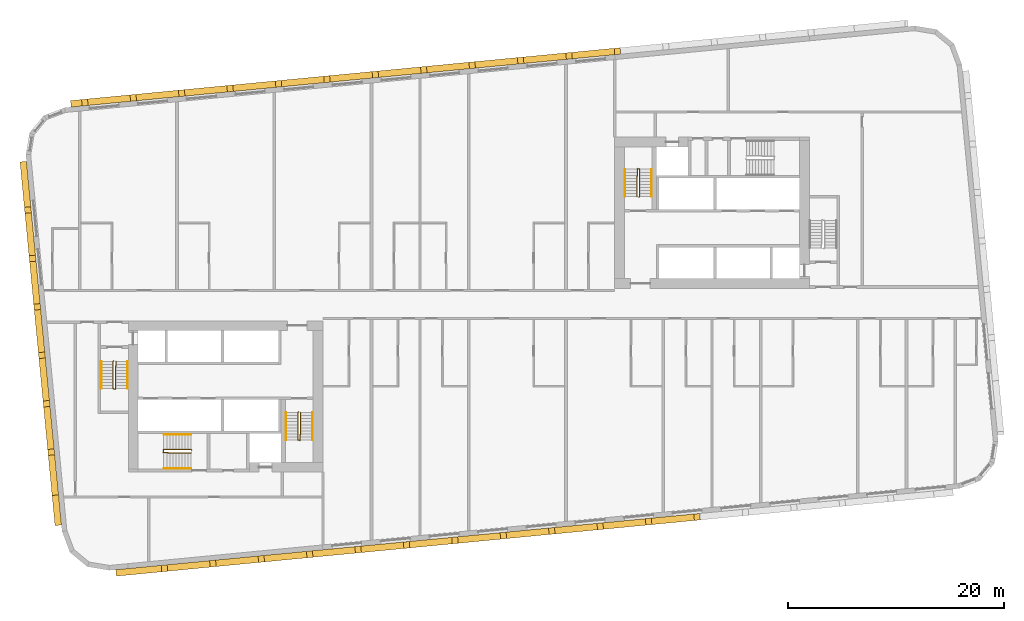
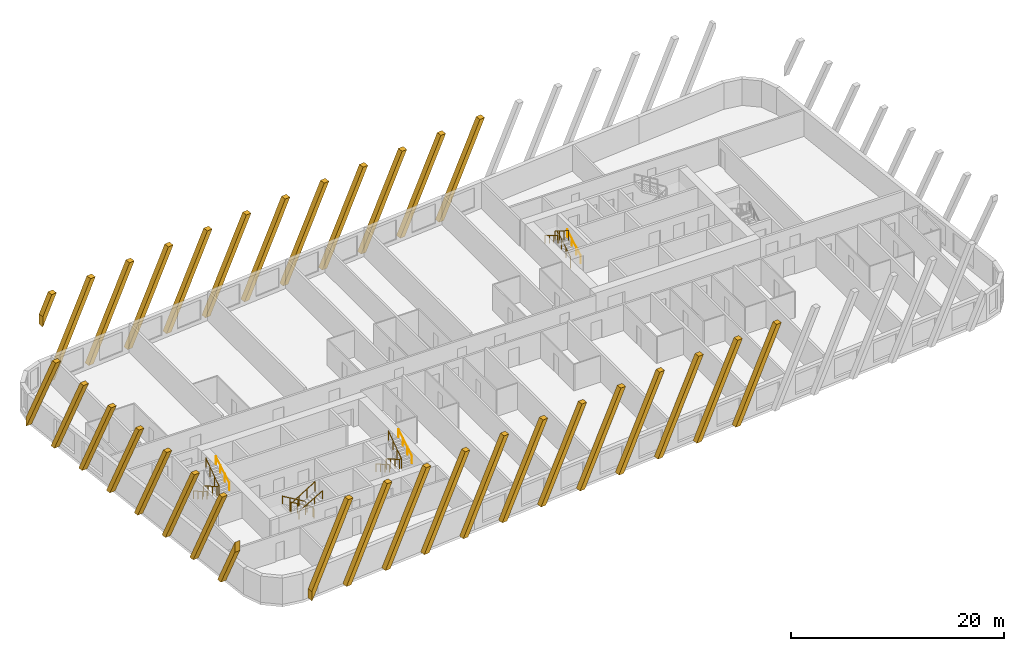
# One storey, part 12 of 13: 32 coverings, 12 railings.
"""IFC4 building model written with IfcOpenShell, lengths in metres."""

from ifc_helpers import new_model, si_unit, direction, frame, origin, origin_2d, place, context, subcontext, project, spatial, polyline, rectangle, circle, outline, extrude, material, material_profile, profile_set, type_object, element, save


model = new_model("IFC4")

# Units and contexts
model_context = context("Model", 3, precision=1e-05, world=origin(), true_north=direction((0.0, 1.0)))
body_context = subcontext(model_context, "Body", "Model", "MODEL_VIEW")
ifc_project = project(units=[si_unit("LENGTHUNIT", "METRE"), si_unit("AREAUNIT", "SQUARE_METRE"), si_unit("VOLUMEUNIT", "CUBIC_METRE"), si_unit("PLANEANGLEUNIT", "RADIAN"), si_unit("MASSUNIT", "GRAM", prefix="KILO")], contexts=[model_context])

# Site, building, storey
site_placement = place(None, origin())
site = spatial("IfcSite", under=ifc_project, at=site_placement, CompositionType="ELEMENT")
building_placement = place(site_placement, origin())
building = spatial("IfcBuilding", under=site, at=building_placement, Name="Kajstack Hotel Tower", CompositionType="ELEMENT")
storey_placement = place(building_placement, frame((0.0, 0.0, 140.5)))
storey = spatial("IfcBuildingStorey", under=building, at=storey_placement, Name="L32", CompositionType="ELEMENT", Elevation=140.5)

# Coverings
ifc_material_1 = material(Name="Terracotta", Category="masonry")
ifc_material_profile = material_profile(ifc_material_1, rectangle(XDim=0.60009765625, YDim=0.5, at=origin_2d()), Name="Terracotta-clad concrete baguette 500 x 600")
ifc_profile_set = profile_set([ifc_material_profile], Name="Terracotta")
covering_type = type_object("IfcCoveringType", Name="BAGUETTE 500x600", PredefinedType="CLADDING", material=ifc_profile_set)
covering_1_placement = place(storey_placement, frame((-40.91943359375, 13.2529296875, 0.0), z_axis=(-0.995381412265, -0.095999188106, 0.0), x_axis=(0.095999188106, -0.995381412265, 0.0)))
element("IfcCovering", 1, at=covering_1_placement, inside=storey, type_object=covering_type, Name="Baguette L32-00-003", PredefinedType="CLADDING", context=body_context, shape_type="SweptSolid", body=[
    extrude(outline(polyline([(4.222900390625, 9.89990234375), (0.0, 1.046142578125), (0.0, 0.0), (0.054931640625, 0.0), (4.777099609375, 9.89990234375), (4.222900390625, 9.89990234375)])), origin(), (0.0, 0.0, 1.0), 0.60009765625),
])
for number, where, z_axis, x_axis, name in (
    (2, (-40.5361328125, 9.270263671875, 0.0), (-0.995416482233, -0.095634862357, 0.0), (0.095634862357, -0.995416482233, 0.0), "Baguette L32-00-007"),
    (3, (-40.104736328125, 4.791015625, 0.0), (-0.995416482233, -0.095634862357, 0.0), (0.095634862357, -0.995416482233, 0.0), "Baguette L32-00-011"),
):
    element("IfcCovering", number, at=place(storey_placement, frame(where, z_axis=z_axis, x_axis=x_axis)), inside=storey, type_object=covering_type, Name=name, PredefinedType="CLADDING", context=body_context, shape_type="SweptSolid", body=[
        extrude(outline(polyline([(4.72216796875, 9.89990234375), (0.0, 0.0), (0.553955078125, 0.0), (5.276123046875, 9.89990234375), (4.72216796875, 9.89990234375)])), origin(), (0.0, 0.0, 1.0), 0.599853515625),
    ])
covering_2_placement = place(storey_placement, frame((-39.67333984375, 0.311767578125, 0.0), z_axis=(-0.995381412265, -0.095999188106, 0.0), x_axis=(0.095999188106, -0.995381412265, 0.0)))
element("IfcCovering", 4, at=covering_2_placement, inside=storey, type_object=covering_type, Name="Baguette L32-00-015", PredefinedType="CLADDING", context=body_context, shape_type="SweptSolid", body=[
    extrude(outline(polyline([(4.72216796875, 9.89990234375), (0.0, 0.0), (0.553955078125, 0.0), (5.276123046875, 9.89990234375), (4.72216796875, 9.89990234375)])), origin(), (0.0, 0.0, 1.0), 0.60009765625),
])
for number, where, z_axis, x_axis, name in (
    (5, (-39.2421875, -4.16748046875, 0.0), (-0.995377661201, -0.096038073607, 0.0), (0.096038073607, -0.995377661201, 0.0), "Baguette L32-00-019"),
    (6, (-38.810791015625, -8.646728515625, 0.0), (-0.995377661201, -0.096038073607, 0.0), (0.096038073607, -0.995377661201, 0.0), "Baguette L32-00-023"),
):
    element("IfcCovering", number, at=place(storey_placement, frame(where, z_axis=z_axis, x_axis=x_axis)), inside=storey, type_object=covering_type, Name=name, PredefinedType="CLADDING", context=body_context, shape_type="SweptSolid", body=[
        extrude(outline(polyline([(4.72216796875, 9.89990234375), (0.0, 0.0), (0.553955078125, 0.0), (5.276123046875, 9.89990234375), (4.72216796875, 9.89990234375)])), origin(), (0.0, 0.0, 1.0), 0.599853515625),
    ])
covering_3_placement = place(storey_placement, frame((-38.37939453125, -13.126220703125, 0.0), z_axis=(-0.995420202011, -0.095596137095, 0.0), x_axis=(0.095596137095, -0.995420202011, 0.0)))
element("IfcCovering", 7, at=covering_3_placement, inside=storey, type_object=covering_type, Name="Baguette L32-00-027", PredefinedType="CLADDING", context=body_context, shape_type="SweptSolid", body=[
    extrude(outline(polyline([(4.72216796875, 9.89990234375), (0.0, 0.0), (0.553955078125, 0.0), (5.276123046875, 9.89990234375), (4.72216796875, 9.89990234375)])), origin(), (0.0, 0.0, 1.0), 0.60009765625),
])
covering_4_placement = place(storey_placement, frame((-37.9482421875, -17.60546875, 0.0), z_axis=(-0.995416482233, -0.095634862357, 0.0), x_axis=(0.095634862357, -0.995416482233, 0.0)))
element("IfcCovering", 8, at=covering_4_placement, inside=storey, type_object=covering_type, Name="Baguette L32-00-031", PredefinedType="CLADDING", context=body_context, shape_type="SweptSolid", body=[
    extrude(outline(polyline([(0.553955078125, 0.0), (2.798828125, 4.706787109375), (2.798828125, 5.8681640625), (0.0, 0.0), (0.553955078125, 0.0)])), origin(), (0.0, 0.0, 1.0), 0.599853515625),
])
covering_5_placement = place(storey_placement, frame((-32.66015625, -24.529296875, 0.0), z_axis=(0.095596137095, -0.995420202011, 0.0), x_axis=(0.995420202011, 0.095596137095, 0.0)))
element("IfcCovering", 9, at=covering_5_placement, inside=storey, type_object=covering_type, Name="Baguette L32-04-003", PredefinedType="CLADDING", context=body_context, shape_type="SweptSolid", body=[
    extrude(outline(polyline([(4.222900390625, 9.89990234375), (0.0, 1.046142578125), (0.0, 0.0), (0.054931640625, 0.0), (4.777099609375, 9.89990234375), (4.222900390625, 9.89990234375)])), origin(), (0.0, 0.0, 1.0), 0.60009765625),
])
for number, where, z_axis, x_axis, name in (
    (10, (-28.677734375, -24.14599609375, 0.0), (0.096038073607, -0.995377661201, 0.0), (0.995377661201, 0.096038073607, 0.0), "Baguette L32-04-007"),
    (11, (-24.198486328125, -23.714599609375, 0.0), (0.096038073607, -0.995377661201, 0.0), (0.995377661201, 0.096038073607, 0.0), "Baguette L32-04-011"),
):
    element("IfcCovering", number, at=place(storey_placement, frame(where, z_axis=z_axis, x_axis=x_axis)), inside=storey, type_object=covering_type, Name=name, PredefinedType="CLADDING", context=body_context, shape_type="SweptSolid", body=[
        extrude(outline(polyline([(4.72216796875, 9.89990234375), (0.0, 0.0), (0.553955078125, 0.0), (5.276123046875, 9.89990234375), (4.72216796875, 9.89990234375)])), origin(), (0.0, 0.0, 1.0), 0.599853515625),
    ])
covering_6_placement = place(storey_placement, frame((-19.71923828125, -23.283203125, 0.0), z_axis=(0.095999188106, -0.995381412265, 0.0), x_axis=(0.995381412265, 0.095999188106, 0.0)))
element("IfcCovering", 12, at=covering_6_placement, inside=storey, type_object=covering_type, Name="Baguette L32-04-015", PredefinedType="CLADDING", context=body_context, shape_type="SweptSolid", body=[
    extrude(outline(polyline([(4.72216796875, 9.89990234375), (0.0, 0.0), (0.553955078125, 0.0), (5.276123046875, 9.89990234375), (4.72216796875, 9.89990234375)])), origin(), (0.0, 0.0, 1.0), 0.60009765625),
])
for number, where, z_axis, x_axis, name in (
    (13, (-15.239990234375, -22.85205078125, 0.0), (0.096038073607, -0.995377661201, 0.0), (0.995377661201, 0.096038073607, 0.0), "Baguette L32-04-019"),
    (14, (-10.760498046875, -22.420654296875, 0.0), (0.095634862357, -0.995416482233, 0.0), (0.995416482233, 0.095634862357, 0.0), "Baguette L32-04-023"),
    (15, (-6.28125, -21.989501953125, 0.0), (0.095634862357, -0.995416482233, 0.0), (0.995416482233, 0.095634862357, 0.0), "Baguette L32-04-027"),
    (16, (-1.802001953125, -21.55810546875, 0.0), (0.095634862357, -0.995416482233, 0.0), (0.995416482233, 0.095634862357, 0.0), "Baguette L32-04-031"),
):
    element("IfcCovering", number, at=place(storey_placement, frame(where, z_axis=z_axis, x_axis=x_axis)), inside=storey, type_object=covering_type, Name=name, PredefinedType="CLADDING", context=body_context, shape_type="SweptSolid", body=[
        extrude(outline(polyline([(4.72216796875, 9.89990234375), (0.0, 0.0), (0.553955078125, 0.0), (5.276123046875, 9.89990234375), (4.72216796875, 9.89990234375)])), origin(), (0.0, 0.0, 1.0), 0.599853515625),
    ])
covering_7_placement = place(storey_placement, frame((2.67724609375, -21.126708984375, 0.0), z_axis=(0.095999188106, -0.995381412265, 0.0), x_axis=(0.995381412265, 0.095999188106, 0.0)))
element("IfcCovering", 17, at=covering_7_placement, inside=storey, type_object=covering_type, Name="Baguette L32-04-035", PredefinedType="CLADDING", context=body_context, shape_type="SweptSolid", body=[
    extrude(outline(polyline([(4.72216796875, 9.89990234375), (0.0, 0.0), (0.553955078125, 0.0), (5.276123046875, 9.89990234375), (4.72216796875, 9.89990234375)])), origin(), (0.0, 0.0, 1.0), 0.60009765625),
])
for number, where, z_axis, x_axis, name in (
    (18, (7.156494140625, -20.695556640625, 0.0), (0.096038073607, -0.995377661201, 0.0), (0.995377661201, 0.096038073607, 0.0), "Baguette L32-04-039"),
    (19, (11.6357421875, -20.26416015625, 0.0), (0.096038073607, -0.995377661201, 0.0), (0.995377661201, 0.096038073607, 0.0), "Baguette L32-04-043"),
):
    element("IfcCovering", number, at=place(storey_placement, frame(where, z_axis=z_axis, x_axis=x_axis)), inside=storey, type_object=covering_type, Name=name, PredefinedType="CLADDING", context=body_context, shape_type="SweptSolid", body=[
        extrude(outline(polyline([(4.72216796875, 9.89990234375), (0.0, 0.0), (0.553955078125, 0.0), (5.276123046875, 9.89990234375), (4.72216796875, 9.89990234375)])), origin(), (0.0, 0.0, 1.0), 0.599853515625),
    ])
covering_8_placement = place(storey_placement, frame((16.114990234375, -19.832763671875, 0.0), z_axis=(0.095999188106, -0.995381412265, 0.0), x_axis=(0.995381412265, 0.095999188106, 0.0)))
element("IfcCovering", 20, at=covering_8_placement, inside=storey, type_object=covering_type, Name="Baguette L32-04-047", PredefinedType="CLADDING", context=body_context, shape_type="SweptSolid", body=[
    extrude(outline(polyline([(4.72216796875, 9.89990234375), (0.0, 0.0), (0.553955078125, 0.0), (5.276123046875, 9.89990234375), (4.72216796875, 9.89990234375)])), origin(), (0.0, 0.0, 1.0), 0.60009765625),
])
for number, where, z_axis, x_axis, name in (
    (21, (14.060302734375, 23.168212890625, 0.0), (-0.096038073607, 0.995377661201, 0.0), (-0.995377661201, -0.096038073607, 0.0), "Baguette L32-12-027"),
    (22, (9.5810546875, 22.73681640625, 0.0), (-0.096038073607, 0.995377661201, 0.0), (-0.995377661201, -0.096038073607, 0.0), "Baguette L32-12-031"),
):
    element("IfcCovering", number, at=place(storey_placement, frame(where, z_axis=z_axis, x_axis=x_axis)), inside=storey, type_object=covering_type, Name=name, PredefinedType="CLADDING", context=body_context, shape_type="SweptSolid", body=[
        extrude(outline(polyline([(0.0, 9.89990234375), (4.72216796875, 0.0), (5.276123046875, 0.0), (0.553955078125, 9.89990234375), (0.0, 9.89990234375)])), origin(), (0.0, 0.0, 1.0), 0.599853515625),
    ])
covering_9_placement = place(storey_placement, frame((5.101806640625, 22.305419921875, 0.0), z_axis=(-0.095999188106, 0.995381412265, 0.0), x_axis=(-0.995381412265, -0.095999188106, 0.0)))
element("IfcCovering", 23, at=covering_9_placement, inside=storey, type_object=covering_type, Name="Baguette L32-12-035", PredefinedType="CLADDING", context=body_context, shape_type="SweptSolid", body=[
    extrude(outline(polyline([(0.0, 9.89990234375), (4.72216796875, 0.0), (5.276123046875, 0.0), (0.553955078125, 9.89990234375), (0.0, 9.89990234375)])), origin(), (0.0, 0.0, 1.0), 0.60009765625),
])
for number, where, z_axis, x_axis, name in (
    (24, (0.622314453125, 21.874267578125, 0.0), (-0.095634862357, 0.995416482233, 0.0), (-0.995416482233, -0.095634862357, 0.0), "Baguette L32-12-039"),
    (25, (-3.85693359375, 21.44287109375, 0.0), (-0.095634862357, 0.995416482233, 0.0), (-0.995416482233, -0.095634862357, 0.0), "Baguette L32-12-043"),
):
    element("IfcCovering", number, at=place(storey_placement, frame(where, z_axis=z_axis, x_axis=x_axis)), inside=storey, type_object=covering_type, Name=name, PredefinedType="CLADDING", context=body_context, shape_type="SweptSolid", body=[
        extrude(outline(polyline([(0.0, 9.89990234375), (4.72216796875, 0.0), (5.276123046875, 0.0), (0.553955078125, 9.89990234375), (0.0, 9.89990234375)])), origin(), (0.0, 0.0, 1.0), 0.599853515625),
    ])
covering_10_placement = place(storey_placement, frame((-8.336181640625, 21.011474609375, 0.0), z_axis=(-0.095596137095, 0.995420202011, 0.0), x_axis=(-0.995420202011, -0.095596137095, 0.0)))
element("IfcCovering", 26, at=covering_10_placement, inside=storey, type_object=covering_type, Name="Baguette L32-12-047", PredefinedType="CLADDING", context=body_context, shape_type="SweptSolid", body=[
    extrude(outline(polyline([(0.0, 9.89990234375), (4.72216796875, 0.0), (5.276123046875, 0.0), (0.553955078125, 9.89990234375), (0.0, 9.89990234375)])), origin(), (0.0, 0.0, 1.0), 0.60009765625),
])
for number, where, z_axis, x_axis, name in (
    (27, (-12.8154296875, 20.580322265625, 0.0), (-0.096038073607, 0.995377661201, 0.0), (-0.995377661201, -0.096038073607, 0.0), "Baguette L32-12-051"),
    (28, (-17.294677734375, 20.14892578125, 0.0), (-0.096038073607, 0.995377661201, 0.0), (-0.995377661201, -0.096038073607, 0.0), "Baguette L32-12-055"),
    (29, (-21.77392578125, 19.7177734375, 0.0), (-0.096038073607, 0.995377661201, 0.0), (-0.995377661201, -0.096038073607, 0.0), "Baguette L32-12-059"),
    (30, (-26.253173828125, 19.286376953125, 0.0), (-0.096038073607, 0.995377661201, 0.0), (-0.995377661201, -0.096038073607, 0.0), "Baguette L32-12-063"),
):
    element("IfcCovering", number, at=place(storey_placement, frame(where, z_axis=z_axis, x_axis=x_axis)), inside=storey, type_object=covering_type, Name=name, PredefinedType="CLADDING", context=body_context, shape_type="SweptSolid", body=[
        extrude(outline(polyline([(0.0, 9.89990234375), (4.72216796875, 0.0), (5.276123046875, 0.0), (0.553955078125, 9.89990234375), (0.0, 9.89990234375)])), origin(), (0.0, 0.0, 1.0), 0.599853515625),
    ])
covering_11_placement = place(storey_placement, frame((-30.732666015625, 18.85498046875, 0.0), z_axis=(-0.095596137095, 0.995420202011, 0.0), x_axis=(-0.995420202011, -0.095596137095, 0.0)))
element("IfcCovering", 31, at=covering_11_placement, inside=storey, type_object=covering_type, Name="Baguette L32-12-067", PredefinedType="CLADDING", context=body_context, shape_type="SweptSolid", body=[
    extrude(outline(polyline([(0.0, 9.89990234375), (4.72216796875, 0.0), (5.276123046875, 0.0), (0.553955078125, 9.89990234375), (0.0, 9.89990234375)])), origin(), (0.0, 0.0, 1.0), 0.60009765625),
])
covering_12_placement = place(storey_placement, frame((-35.2119140625, 18.423828125, 0.0), z_axis=(-0.095634862357, 0.995416482233, 0.0), x_axis=(-0.995416482233, -0.095634862357, 0.0)))
element("IfcCovering", 32, at=covering_12_placement, inside=storey, type_object=covering_type, Name="Baguette L32-12-071", PredefinedType="CLADDING", context=body_context, shape_type="SweptSolid", body=[
    extrude(outline(polyline([(0.0, 9.89990234375), (1.576904296875, 6.59375), (1.576904296875, 7.755126953125), (0.553955078125, 9.89990234375), (0.0, 9.89990234375)])), origin(), (0.0, 0.0, 1.0), 0.599853515625),
])

# Railings
ifc_material_2 = material(Name="Steel S355J2", Category="steel")
railing_type_1 = type_object("IfcRailingType", Name="Stair guard 1100", PredefinedType="GUARDRAIL", material=ifc_material_2)
railing_1_placement = place(storey_placement, frame((-32.85009765625, -5.199951171875, 0.0)))
element("IfcRailing", 33, at=railing_1_placement, inside=storey, type_object=railing_type_1, Name="L32 W1 stair guard 1", PredefinedType="GUARDRAIL", context=body_context, shape_type="SweptSolid", body=[
    extrude(circle(Radius=0.02392578125, at=origin_2d()), frame((0.0, 0.0, 1.076171875), z_axis=(-0.277450376394, -0.278810427259, 0.919394384522), x_axis=(0.708833529934, -0.705375805398, 0.0)), (0.0, 0.0, 1.0), 0.179443359375),
    extrude(circle(Radius=0.02392578125, at=origin_2d()), frame((-0.0498046875, -0.050048828125, 1.2412109375), z_axis=(0.0, -0.861560626758, 0.507654692109), x_axis=(1.0, 0.0, 0.0)), (0.0, 0.0, 1.0), 2.925048828125),
    extrude(circle(Radius=0.02392578125, at=origin_2d()), frame((-0.0498046875, -2.570068359375, 2.72607421875), z_axis=(0.970072785993, -0.242814311512, 0.0), x_axis=(0.242814311512, 0.970072785993, 0.0)), (0.0, 0.0, 1.0), 0.2060546875),
    extrude(circle(Radius=0.02392578125, at=origin_2d()), frame((0.150146484375, -2.6201171875, 2.72607421875), z_axis=(0.016384601254, 0.84136925563, 0.540212292087), x_axis=(-0.999810440751, 0.019470042781, 0.0)), (0.0, 0.0, 1.0), 3.0546875),
    extrude(circle(Radius=0.02099609375, at=origin_2d()), origin(), (0.0, 0.0, 1.0), 1.052001953125),
    extrude(circle(Radius=0.02099609375, at=origin_2d()), frame((-0.0498046875, -0.050048828125, 0.1650390625)), (0.0, 0.0, 1.0), 1.052001953125),
    extrude(circle(Radius=0.02099609375, at=origin_2d()), frame((-0.0498046875, -0.89013671875, 0.659912109375)), (0.0, 0.0, 1.0), 1.052001953125),
    extrude(circle(Radius=0.02099609375, at=origin_2d()), frame((-0.0498046875, -1.72998046875, 1.155029296875)), (0.0, 0.0, 1.0), 1.052001953125),
    extrude(circle(Radius=0.02099609375, at=origin_2d()), frame((-0.0498046875, -2.570068359375, 1.64990234375)), (0.0, 0.0, 1.0), 1.052001953125),
    extrude(circle(Radius=0.02099609375, at=origin_2d()), frame((0.150146484375, -2.6201171875, 1.64990234375)), (0.0, 0.0, 1.0), 1.052001953125),
    extrude(circle(Radius=0.02099609375, at=origin_2d()), frame((0.166748046875, -1.763427734375, 2.199951171875)), (0.0, 0.0, 1.0), 1.052001953125),
    extrude(circle(Radius=0.02099609375, at=origin_2d()), frame((0.18359375, -0.90673828125, 2.75)), (0.0, 0.0, 1.0), 1.052001953125),
    extrude(circle(Radius=0.02099609375, at=origin_2d()), frame((0.2001953125, -0.050048828125, 3.300048828125)), (0.0, 0.0, 1.0), 1.052001953125),
])
railing_2_placement = place(storey_placement, frame((-15.75, -9.949951171875, 0.0)))
element("IfcRailing", 34, at=railing_2_placement, inside=storey, type_object=railing_type_1, Name="L32 W2 stair guard 1", PredefinedType="GUARDRAIL", context=body_context, shape_type="SweptSolid", body=[
    extrude(circle(Radius=0.02392578125, at=origin_2d()), frame((0.0, 0.0, 1.076171875), z_axis=(-0.278705021027, -0.278705021027, 0.919046801044), x_axis=(0.707106781187, -0.707106781187, 0.0)), (0.0, 0.0, 1.0), 0.1796875),
    extrude(circle(Radius=0.02392578125, at=origin_2d()), frame((-0.050048828125, -0.050048828125, 1.2412109375), z_axis=(0.0, -0.861560626758, 0.507654692109), x_axis=(1.0, 0.0, 0.0)), (0.0, 0.0, 1.0), 2.925048828125),
    extrude(circle(Radius=0.02392578125, at=origin_2d()), frame((-0.050048828125, -2.570068359375, 2.72607421875), z_axis=(0.970072785993, -0.242814311512, 0.0), x_axis=(0.242814311512, 0.970072785993, 0.0)), (0.0, 0.0, 1.0), 0.2060546875),
    extrude(circle(Radius=0.02392578125, at=origin_2d()), frame((0.14990234375, -2.6201171875, 2.72607421875), z_axis=(0.016384601254, 0.84136925563, 0.540212292087), x_axis=(-0.999810440751, 0.019470042781, 0.0)), (0.0, 0.0, 1.0), 3.0546875),
    extrude(circle(Radius=0.02099609375, at=origin_2d()), origin(), (0.0, 0.0, 1.0), 1.052001953125),
    extrude(circle(Radius=0.02099609375, at=origin_2d()), frame((-0.050048828125, -0.050048828125, 0.1650390625)), (0.0, 0.0, 1.0), 1.052001953125),
    extrude(circle(Radius=0.02099609375, at=origin_2d()), frame((-0.050048828125, -0.89013671875, 0.659912109375)), (0.0, 0.0, 1.0), 1.052001953125),
    extrude(circle(Radius=0.02099609375, at=origin_2d()), frame((-0.050048828125, -1.72998046875, 1.155029296875)), (0.0, 0.0, 1.0), 1.052001953125),
    extrude(circle(Radius=0.02099609375, at=origin_2d()), frame((-0.050048828125, -2.570068359375, 1.64990234375)), (0.0, 0.0, 1.0), 1.052001953125),
    extrude(circle(Radius=0.02099609375, at=origin_2d()), frame((0.14990234375, -2.6201171875, 1.64990234375)), (0.0, 0.0, 1.0), 1.052001953125),
    extrude(circle(Radius=0.02099609375, at=origin_2d()), frame((0.16650390625, -1.763427734375, 2.199951171875)), (0.0, 0.0, 1.0), 1.052001953125),
    extrude(circle(Radius=0.02099609375, at=origin_2d()), frame((0.183349609375, -0.90673828125, 2.75)), (0.0, 0.0, 1.0), 1.052001953125),
    extrude(circle(Radius=0.02099609375, at=origin_2d()), frame((0.199951171875, -0.050048828125, 3.300048828125)), (0.0, 0.0, 1.0), 1.052001953125),
])
railing_3_placement = place(storey_placement, frame((-25.64990234375, -13.449951171875, 0.0)))
element("IfcRailing", 35, at=railing_3_placement, inside=storey, type_object=railing_type_1, Name="L32 W3 stair guard 1", PredefinedType="GUARDRAIL", context=body_context, shape_type="SweptSolid", body=[
    extrude(circle(Radius=0.02392578125, at=origin_2d()), frame((0.0, 0.0, 1.076171875), z_axis=(-0.278705021027, 0.278705021027, 0.919046801044), x_axis=(-0.707106781187, -0.707106781187, 0.0)), (0.0, 0.0, 1.0), 0.1796875),
    extrude(circle(Radius=0.02392578125, at=origin_2d()), frame((-0.050048828125, 0.050048828125, 1.2412109375), z_axis=(-0.861560626758, 0.0, 0.507654692109), x_axis=(0.0, -1.0, 0.0)), (0.0, 0.0, 1.0), 2.925048828125),
    extrude(circle(Radius=0.02392578125, at=origin_2d()), frame((-2.570068359375, 0.050048828125, 2.72607421875), z_axis=(-0.164529134168, -0.986372223864, 0.0), x_axis=(0.986372223864, -0.164529134168, 0.0)), (0.0, 0.0, 1.0), 0.30419921875),
    extrude(circle(Radius=0.02392578125, at=origin_2d()), frame((-2.6201171875, -0.25, 2.72607421875), z_axis=(0.84136925563, -0.016384601254, 0.540212292087), x_axis=(0.019470042781, 0.999810440751, 0.0)), (0.0, 0.0, 1.0), 3.0546875),
    extrude(circle(Radius=0.02099609375, at=origin_2d()), origin(), (0.0, 0.0, 1.0), 1.052001953125),
    extrude(circle(Radius=0.02099609375, at=origin_2d()), frame((-0.050048828125, 0.050048828125, 0.1650390625)), (0.0, 0.0, 1.0), 1.052001953125),
    extrude(circle(Radius=0.02099609375, at=origin_2d()), frame((-0.89013671875, 0.050048828125, 0.659912109375)), (0.0, 0.0, 1.0), 1.052001953125),
    extrude(circle(Radius=0.02099609375, at=origin_2d()), frame((-1.72998046875, 0.050048828125, 1.155029296875)), (0.0, 0.0, 1.0), 1.052001953125),
    extrude(circle(Radius=0.02099609375, at=origin_2d()), frame((-2.570068359375, 0.050048828125, 1.64990234375)), (0.0, 0.0, 1.0), 1.052001953125),
    extrude(circle(Radius=0.02099609375, at=origin_2d()), frame((-2.6201171875, -0.25, 1.64990234375)), (0.0, 0.0, 1.0), 1.052001953125),
    extrude(circle(Radius=0.02099609375, at=origin_2d()), frame((-1.763427734375, -0.2666015625, 2.199951171875)), (0.0, 0.0, 1.0), 1.052001953125),
    extrude(circle(Radius=0.02099609375, at=origin_2d()), frame((-0.90673828125, -0.283447265625, 2.75)), (0.0, 0.0, 1.0), 1.052001953125),
    extrude(circle(Radius=0.02099609375, at=origin_2d()), frame((-0.050048828125, -0.300048828125, 3.300048828125)), (0.0, 0.0, 1.0), 1.052001953125),
])
railing_4_placement = place(storey_placement, frame((15.75, 9.949951171875, 0.0)))
element("IfcRailing", 36, at=railing_4_placement, inside=storey, type_object=railing_type_1, Name="L32 E2 stair guard 1", PredefinedType="GUARDRAIL", context=body_context, shape_type="SweptSolid", body=[
    extrude(circle(Radius=0.02392578125, at=origin_2d()), frame((0.0, 0.0, 1.076171875), z_axis=(0.278705021027, 0.278705021027, 0.919046801044), x_axis=(-0.707106781187, 0.707106781187, 0.0)), (0.0, 0.0, 1.0), 0.1796875),
    extrude(circle(Radius=0.02392578125, at=origin_2d()), frame((0.050048828125, 0.050048828125, 1.2412109375), z_axis=(0.0, 0.861560626758, 0.507654692109), x_axis=(-1.0, 0.0, 0.0)), (0.0, 0.0, 1.0), 2.925048828125),
    extrude(circle(Radius=0.02392578125, at=origin_2d()), frame((0.050048828125, 2.570068359375, 2.72607421875), z_axis=(-0.970072785993, 0.242814311512, 0.0), x_axis=(-0.242814311512, -0.970072785993, 0.0)), (0.0, 0.0, 1.0), 0.2060546875),
    extrude(circle(Radius=0.02392578125, at=origin_2d()), frame((-0.14990234375, 2.6201171875, 2.72607421875), z_axis=(-0.016384601254, -0.84136925563, 0.540212292087), x_axis=(0.999810440751, -0.019470042781, 0.0)), (0.0, 0.0, 1.0), 3.0546875),
    extrude(circle(Radius=0.02099609375, at=origin_2d()), origin(), (0.0, 0.0, 1.0), 1.052001953125),
    extrude(circle(Radius=0.02099609375, at=origin_2d()), frame((0.050048828125, 0.050048828125, 0.1650390625)), (0.0, 0.0, 1.0), 1.052001953125),
    extrude(circle(Radius=0.02099609375, at=origin_2d()), frame((0.050048828125, 0.89013671875, 0.659912109375)), (0.0, 0.0, 1.0), 1.052001953125),
    extrude(circle(Radius=0.02099609375, at=origin_2d()), frame((0.050048828125, 1.72998046875, 1.155029296875)), (0.0, 0.0, 1.0), 1.052001953125),
    extrude(circle(Radius=0.02099609375, at=origin_2d()), frame((0.050048828125, 2.570068359375, 1.64990234375)), (0.0, 0.0, 1.0), 1.052001953125),
    extrude(circle(Radius=0.02099609375, at=origin_2d()), frame((-0.14990234375, 2.6201171875, 1.64990234375)), (0.0, 0.0, 1.0), 1.052001953125),
    extrude(circle(Radius=0.02099609375, at=origin_2d()), frame((-0.16650390625, 1.763427734375, 2.199951171875)), (0.0, 0.0, 1.0), 1.052001953125),
    extrude(circle(Radius=0.02099609375, at=origin_2d()), frame((-0.183349609375, 0.90673828125, 2.75)), (0.0, 0.0, 1.0), 1.052001953125),
    extrude(circle(Radius=0.02099609375, at=origin_2d()), frame((-0.199951171875, 0.050048828125, 3.300048828125)), (0.0, 0.0, 1.0), 1.052001953125),
])
railing_type_2 = type_object("IfcRailingType", Name="Stair handrail 900", PredefinedType="HANDRAIL", material=ifc_material_2)
railing_5_placement = place(storey_placement, frame((-34.0, -5.25, 0.1650390625)))
element("IfcRailing", 37, at=railing_5_placement, inside=storey, type_object=railing_type_2, Name="L32 W1 stair handrail 1", PredefinedType="HANDRAIL", context=body_context, shape_type="SweptSolid", body=[
    extrude(circle(Radius=0.02392578125, at=origin_2d()), frame((0.0, 0.0, 0.8759765625), z_axis=(0.0, -0.861560626758, 0.507654692109), x_axis=(1.0, 0.0, 0.0)), (0.0, 0.0, 1.0), 2.925048828125),
    extrude(circle(Radius=0.02099609375, at=origin_2d()), origin(), (0.0, 0.0, 1.0), 0.851806640625),
    extrude(circle(Radius=0.02099609375, at=origin_2d()), frame((0.0, -0.840087890625, 0.494873046875)), (0.0, 0.0, 1.0), 0.851806640625),
    extrude(circle(Radius=0.02099609375, at=origin_2d()), frame((0.0, -1.679931640625, 0.989990234375)), (0.0, 0.0, 1.0), 0.851806640625),
    extrude(circle(Radius=0.02099609375, at=origin_2d()), frame((0.0, -2.52001953125, 1.48486328125)), (0.0, 0.0, 1.0), 0.851806640625),
])
railing_6_placement = place(storey_placement, frame((-31.550048828125, -7.77001953125, 1.81494140625)))
element("IfcRailing", 38, at=railing_6_placement, inside=storey, type_object=railing_type_2, Name="L32 W1 stair handrail 2", PredefinedType="HANDRAIL", context=body_context, shape_type="SweptSolid", body=[
    extrude(circle(Radius=0.02392578125, at=origin_2d()), frame((0.0, 0.0, 0.8759765625), z_axis=(0.0, 0.86152411907, 0.507716645641), x_axis=(-1.0, 0.0, 0.0)), (0.0, 0.0, 1.0), 2.925048828125),
    extrude(circle(Radius=0.02099609375, at=origin_2d()), origin(), (0.0, 0.0, 1.0), 0.851806640625),
    extrude(circle(Radius=0.02099609375, at=origin_2d()), frame((0.0, 0.840087890625, 0.4951171875)), (0.0, 0.0, 1.0), 0.851806640625),
    extrude(circle(Radius=0.02099609375, at=origin_2d()), frame((0.0, 1.679931640625, 0.989990234375)), (0.0, 0.0, 1.0), 0.851806640625),
    extrude(circle(Radius=0.02099609375, at=origin_2d()), frame((0.0, 2.52001953125, 1.485107421875)), (0.0, 0.0, 1.0), 0.851806640625),
])
railing_7_placement = place(storey_placement, frame((-16.89990234375, -10.0, 0.1650390625)))
element("IfcRailing", 39, at=railing_7_placement, inside=storey, type_object=railing_type_2, Name="L32 W2 stair handrail 1", PredefinedType="HANDRAIL", context=body_context, shape_type="SweptSolid", body=[
    extrude(circle(Radius=0.02392578125, at=origin_2d()), frame((0.0, 0.0, 0.8759765625), z_axis=(0.0, -0.861560626758, 0.507654692109), x_axis=(1.0, 0.0, 0.0)), (0.0, 0.0, 1.0), 2.925048828125),
    extrude(circle(Radius=0.02099609375, at=origin_2d()), origin(), (0.0, 0.0, 1.0), 0.851806640625),
    extrude(circle(Radius=0.02099609375, at=origin_2d()), frame((0.0, -0.840087890625, 0.494873046875)), (0.0, 0.0, 1.0), 0.851806640625),
    extrude(circle(Radius=0.02099609375, at=origin_2d()), frame((0.0, -1.679931640625, 0.989990234375)), (0.0, 0.0, 1.0), 0.851806640625),
    extrude(circle(Radius=0.02099609375, at=origin_2d()), frame((0.0, -2.52001953125, 1.48486328125)), (0.0, 0.0, 1.0), 0.851806640625),
])
railing_8_placement = place(storey_placement, frame((-14.449951171875, -12.52001953125, 1.81494140625)))
element("IfcRailing", 40, at=railing_8_placement, inside=storey, type_object=railing_type_2, Name="L32 W2 stair handrail 2", PredefinedType="HANDRAIL", context=body_context, shape_type="SweptSolid", body=[
    extrude(circle(Radius=0.02392578125, at=origin_2d()), frame((0.0, 0.0, 0.8759765625), z_axis=(0.0, 0.86152411907, 0.507716645641), x_axis=(-1.0, 0.0, 0.0)), (0.0, 0.0, 1.0), 2.925048828125),
    extrude(circle(Radius=0.02099609375, at=origin_2d()), origin(), (0.0, 0.0, 1.0), 0.851806640625),
    extrude(circle(Radius=0.02099609375, at=origin_2d()), frame((0.0, 0.840087890625, 0.4951171875)), (0.0, 0.0, 1.0), 0.851806640625),
    extrude(circle(Radius=0.02099609375, at=origin_2d()), frame((0.0, 1.679931640625, 0.989990234375)), (0.0, 0.0, 1.0), 0.851806640625),
    extrude(circle(Radius=0.02099609375, at=origin_2d()), frame((0.0, 2.52001953125, 1.485107421875)), (0.0, 0.0, 1.0), 0.851806640625),
])
railing_9_placement = place(storey_placement, frame((-25.699951171875, -12.0, 0.1650390625)))
element("IfcRailing", 41, at=railing_9_placement, inside=storey, type_object=railing_type_2, Name="L32 W3 stair handrail 1", PredefinedType="HANDRAIL", context=body_context, shape_type="SweptSolid", body=[
    extrude(circle(Radius=0.02392578125, at=origin_2d()), frame((0.0, 0.0, 0.8759765625), z_axis=(-0.861560626758, 0.0, 0.507654692109), x_axis=(0.0, -1.0, 0.0)), (0.0, 0.0, 1.0), 2.925048828125),
    extrude(circle(Radius=0.02099609375, at=origin_2d()), origin(), (0.0, 0.0, 1.0), 0.851806640625),
    extrude(circle(Radius=0.02099609375, at=origin_2d()), frame((-0.840087890625, 0.0, 0.494873046875)), (0.0, 0.0, 1.0), 0.851806640625),
    extrude(circle(Radius=0.02099609375, at=origin_2d()), frame((-1.679931640625, 0.0, 0.989990234375)), (0.0, 0.0, 1.0), 0.851806640625),
    extrude(circle(Radius=0.02099609375, at=origin_2d()), frame((-2.52001953125, 0.0, 1.48486328125)), (0.0, 0.0, 1.0), 0.851806640625),
])
railing_10_placement = place(storey_placement, frame((-28.219970703125, -15.14990234375, 1.81494140625)))
element("IfcRailing", 42, at=railing_10_placement, inside=storey, type_object=railing_type_2, Name="L32 W3 stair handrail 2", PredefinedType="HANDRAIL", context=body_context, shape_type="SweptSolid", body=[
    extrude(circle(Radius=0.02392578125, at=origin_2d()), frame((0.0, 0.0, 0.8759765625), z_axis=(0.86152411907, 0.0, 0.507716645641), x_axis=(0.0, 1.0, 0.0)), (0.0, 0.0, 1.0), 2.925048828125),
    extrude(circle(Radius=0.02099609375, at=origin_2d()), origin(), (0.0, 0.0, 1.0), 0.851806640625),
    extrude(circle(Radius=0.02099609375, at=origin_2d()), frame((0.840087890625, 0.0, 0.4951171875)), (0.0, 0.0, 1.0), 0.851806640625),
    extrude(circle(Radius=0.02099609375, at=origin_2d()), frame((1.679931640625, 0.0, 0.989990234375)), (0.0, 0.0, 1.0), 0.851806640625),
    extrude(circle(Radius=0.02099609375, at=origin_2d()), frame((2.52001953125, 0.0, 1.485107421875)), (0.0, 0.0, 1.0), 0.851806640625),
])
railing_11_placement = place(storey_placement, frame((16.89990234375, 10.0, 0.1650390625)))
element("IfcRailing", 43, at=railing_11_placement, inside=storey, type_object=railing_type_2, Name="L32 E2 stair handrail 1", PredefinedType="HANDRAIL", context=body_context, shape_type="SweptSolid", body=[
    extrude(circle(Radius=0.02392578125, at=origin_2d()), frame((0.0, 0.0, 0.8759765625), z_axis=(0.0, 0.861560626758, 0.507654692109), x_axis=(-1.0, 0.0, 0.0)), (0.0, 0.0, 1.0), 2.925048828125),
    extrude(circle(Radius=0.02099609375, at=origin_2d()), origin(), (0.0, 0.0, 1.0), 0.851806640625),
    extrude(circle(Radius=0.02099609375, at=origin_2d()), frame((0.0, 0.840087890625, 0.494873046875)), (0.0, 0.0, 1.0), 0.851806640625),
    extrude(circle(Radius=0.02099609375, at=origin_2d()), frame((0.0, 1.679931640625, 0.989990234375)), (0.0, 0.0, 1.0), 0.851806640625),
    extrude(circle(Radius=0.02099609375, at=origin_2d()), frame((0.0, 2.52001953125, 1.48486328125)), (0.0, 0.0, 1.0), 0.851806640625),
])
railing_12_placement = place(storey_placement, frame((14.449951171875, 12.52001953125, 1.81494140625)))
element("IfcRailing", 44, at=railing_12_placement, inside=storey, type_object=railing_type_2, Name="L32 E2 stair handrail 2", PredefinedType="HANDRAIL", context=body_context, shape_type="SweptSolid", body=[
    extrude(circle(Radius=0.02392578125, at=origin_2d()), frame((0.0, 0.0, 0.8759765625), z_axis=(0.0, -0.86152411907, 0.507716645641), x_axis=(1.0, 0.0, 0.0)), (0.0, 0.0, 1.0), 2.925048828125),
    extrude(circle(Radius=0.02099609375, at=origin_2d()), origin(), (0.0, 0.0, 1.0), 0.851806640625),
    extrude(circle(Radius=0.02099609375, at=origin_2d()), frame((0.0, -0.840087890625, 0.4951171875)), (0.0, 0.0, 1.0), 0.851806640625),
    extrude(circle(Radius=0.02099609375, at=origin_2d()), frame((0.0, -1.679931640625, 0.989990234375)), (0.0, 0.0, 1.0), 0.851806640625),
    extrude(circle(Radius=0.02099609375, at=origin_2d()), frame((0.0, -2.52001953125, 1.485107421875)), (0.0, 0.0, 1.0), 0.851806640625),
])

save(model, "model.ifc")
